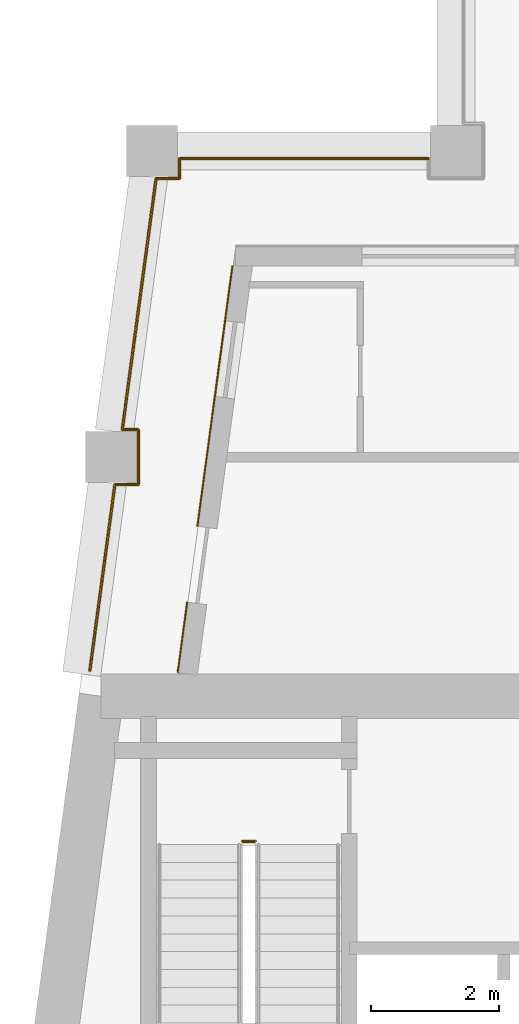
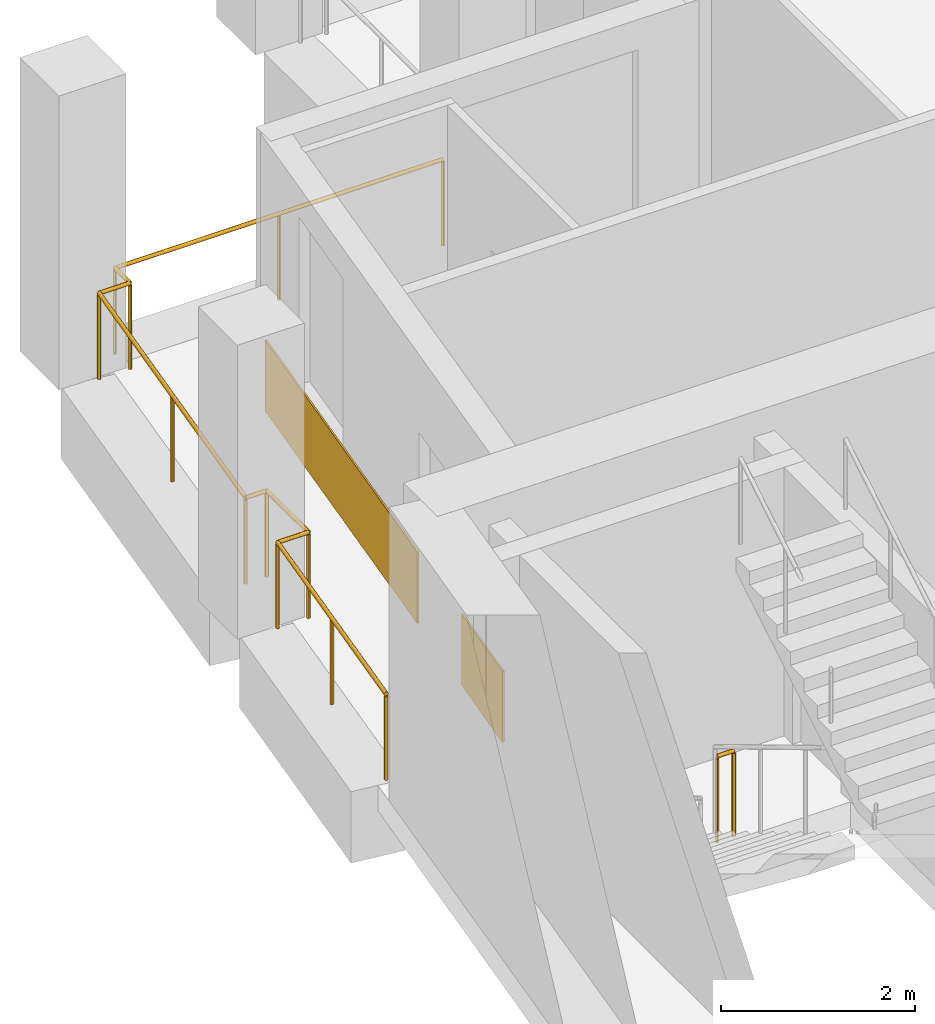
# One storey, part 10 of 14: 2 coverings, 2 railings.
"""IFC4 building model written with IfcOpenShell, lengths in metres."""

from ifc_helpers import new_model, si_unit, direction, frame, origin, origin_2d, place, context, subcontext, project, spatial, rectangle, circle, extrude, material, layer, layer_set, type_object, element, save


model = new_model("IFC4")

# Units and contexts
model_context = context("Model", 3, precision=1e-05, world=origin(), true_north=direction((0.0, 1.0)))
body_context = subcontext(model_context, "Body", "Model", "MODEL_VIEW")
ifc_project = project(units=[si_unit("LENGTHUNIT", "METRE"), si_unit("AREAUNIT", "SQUARE_METRE"), si_unit("VOLUMEUNIT", "CUBIC_METRE"), si_unit("PLANEANGLEUNIT", "RADIAN"), si_unit("MASSUNIT", "GRAM", prefix="KILO")], contexts=[model_context])

# Site, building, storey
site_placement = place(None, origin())
site = spatial("IfcSite", under=ifc_project, at=site_placement, CompositionType="ELEMENT")
building_placement = place(site_placement, origin())
building = spatial("IfcBuilding", under=site, at=building_placement, Name="Candeia Pilgrim Tower and Theatre", CompositionType="ELEMENT")
storey_placement = place(building_placement, frame((0.0, 0.0, 266.39990234375)))
storey = spatial("IfcBuildingStorey", under=building, at=storey_placement, Name="L64", CompositionType="ELEMENT", Elevation=266.39990234375)

# Railing
ifc_material_1 = material(Name="Stainless steel balustrade", Category="steel")
railing_type_1 = type_object("IfcRailingType", Name="G1 loggia guard 1100", PredefinedType="GUARDRAIL", material=ifc_material_1)
railing_1_placement = place(storey_placement, frame((88.758544921875, 132.449951171875, 0.0)))
element("IfcRailing", 1, at=railing_1_placement, inside=storey, type_object=railing_type_1, Name="Guard L64.4", PredefinedType="GUARDRAIL", context=body_context, shape_type="SweptSolid", body=[
    extrude(circle(Radius=0.02392578125, at=origin_2d()), frame((0.0, 0.0, 1.076171875), z_axis=(0.133401056725, 0.991062136329, 0.0), x_axis=(-0.991062136329, 0.133401056725, 0.0)), (0.0, 0.0, 1.0), 2.946533203125),
    extrude(circle(Radius=0.02392578125, at=origin_2d()), frame((0.39306640625, 2.920166015625, 1.076171875), z_axis=(1.0, 0.0, 0.0), x_axis=(0.0, 1.0, 0.0)), (0.0, 0.0, 1.0), 0.366943359375),
    extrude(circle(Radius=0.02392578125, at=origin_2d()), frame((0.760009765625, 2.920166015625, 1.076171875), z_axis=(0.0, 1.0, 0.0), x_axis=(-1.0, 0.0, 0.0)), (0.0, 0.0, 1.0), 0.85986328125),
    extrude(circle(Radius=0.02392578125, at=origin_2d()), frame((0.760009765625, 3.780029296875, 1.076171875), z_axis=(-1.0, 0.0, 0.0), x_axis=(0.0, -1.0, 0.0)), (0.0, 0.0, 1.0), 0.251220703125),
    extrude(circle(Radius=0.02392578125, at=origin_2d()), frame((0.5087890625, 3.780029296875, 1.076171875), z_axis=(0.133446811067, 0.99105597653, 0.0), x_axis=(-0.99105597653, 0.133446811067, 0.0)), (0.0, 0.0, 1.0), 3.9755859375),
    extrude(circle(Radius=0.02392578125, at=origin_2d()), frame((1.039306640625, 7.719970703125, 1.076171875), z_axis=(1.0, 0.0, 0.0), x_axis=(0.0, 1.0, 0.0)), (0.0, 0.0, 1.0), 0.36669921875),
    extrude(circle(Radius=0.02392578125, at=origin_2d()), frame((1.406005859375, 7.719970703125, 1.076171875), z_axis=(0.0, 1.0, 0.0), x_axis=(-1.0, 0.0, 0.0)), (0.0, 0.0, 1.0), 0.31005859375),
    extrude(circle(Radius=0.02392578125, at=origin_2d()), frame((1.406005859375, 8.030029296875, 1.076171875), z_axis=(1.0, 0.0, 0.0), x_axis=(0.0, 1.0, 0.0)), (0.0, 0.0, 1.0), 3.905517578125),
    extrude(circle(Radius=0.02099609375, at=origin_2d()), origin(), (0.0, 0.0, 1.0), 1.052001953125),
    extrude(circle(Radius=0.02099609375, at=origin_2d()), frame((0.196533203125, 1.4599609375, 0.0)), (0.0, 0.0, 1.0), 1.052001953125),
    extrude(circle(Radius=0.02099609375, at=origin_2d()), frame((0.39306640625, 2.920166015625, 0.0)), (0.0, 0.0, 1.0), 1.052001953125),
    extrude(circle(Radius=0.02099609375, at=origin_2d()), frame((0.760009765625, 2.920166015625, 0.0)), (0.0, 0.0, 1.0), 1.052001953125),
    extrude(circle(Radius=0.02099609375, at=origin_2d()), frame((0.760009765625, 3.780029296875, 0.0)), (0.0, 0.0, 1.0), 1.052001953125),
    extrude(circle(Radius=0.02099609375, at=origin_2d()), frame((0.5087890625, 3.780029296875, 0.0)), (0.0, 0.0, 1.0), 1.052001953125),
    extrude(circle(Radius=0.02099609375, at=origin_2d()), frame((0.77392578125, 5.75, 0.0)), (0.0, 0.0, 1.0), 1.052001953125),
    extrude(circle(Radius=0.02099609375, at=origin_2d()), frame((1.039306640625, 7.719970703125, 0.0)), (0.0, 0.0, 1.0), 1.052001953125),
    extrude(circle(Radius=0.02099609375, at=origin_2d()), frame((1.406005859375, 7.719970703125, 0.0)), (0.0, 0.0, 1.0), 1.052001953125),
    extrude(circle(Radius=0.02099609375, at=origin_2d()), frame((1.406005859375, 8.030029296875, 0.0)), (0.0, 0.0, 1.0), 1.052001953125),
    extrude(circle(Radius=0.02099609375, at=origin_2d()), frame((3.35888671875, 8.030029296875, 0.0)), (0.0, 0.0, 1.0), 1.052001953125),
    extrude(circle(Radius=0.02099609375, at=origin_2d()), frame((5.3115234375, 8.030029296875, 0.0)), (0.0, 0.0, 1.0), 1.052001953125),
])

# Coverings
ifc_material_2 = material(Name="Glazed ceramic tile bottle green")
ifc_layer = layer(ifc_material_2, 0.02001953125)
ifc_layer_set = layer_set([ifc_layer], Name="Glazed ceramic tile bottle green")
covering_type = type_object("IfcCoveringType", Name="Glazed ceramic tile bottle green", PredefinedType="CLADDING", material=ifc_layer_set)
covering_1_placement = place(storey_placement, frame((90.720947265625, 136.759521484375, 0.000244140625), z_axis=(0.0, 0.0, 1.0), x_axis=(-0.133412012145, -0.991060661622, 0.0)))
element("IfcCovering", 2, at=covering_1_placement, inside=storey, type_object=covering_type, Name="Tile cladding bottle green L64", PredefinedType="CLADDING", context=body_context, shape_type="SweptSolid", body=[
    extrude(rectangle(XDim=4.123779296875, YDim=0.02001953125, at=origin_2d()), origin(), (0.0, 0.0, 1.0), 0.89990234375),
])
covering_2_placement = place(storey_placement, frame((90.21142578125, 132.97412109375, 0.000244140625), z_axis=(0.0, 0.0, 1.0), x_axis=(-0.133412012145, -0.991060661622, 0.0)))
element("IfcCovering", 3, at=covering_2_placement, inside=storey, type_object=covering_type, Name="Tile cladding bottle green L64", PredefinedType="CLADDING", context=body_context, shape_type="SweptSolid", body=[
    extrude(rectangle(XDim=1.115234375, YDim=0.02001953125, at=origin_2d()), origin(), (0.0, 0.0, 1.0), 0.89990234375),
])

# Railing
railing_type_2 = type_object("IfcRailingType", Name="RL-GUARD-1100", PredefinedType="GUARDRAIL", material=ifc_material_1)
railing_2_placement = place(storey_placement, frame((91.152099609375, 129.77490234375, 0.0)))
element("IfcRailing", 4, at=railing_2_placement, inside=storey, type_object=railing_type_2, Name="L64 ST2 stair guard 2", PredefinedType="GUARDRAIL", context=body_context, shape_type="SweptSolid", body=[
    extrude(circle(Radius=0.02392578125, at=origin_2d()), frame((0.0, 0.0, 1.076171875), z_axis=(1.0, 0.0, 0.0), x_axis=(0.0, 1.0, 0.0)), (0.0, 0.0, 1.0), 0.199951171875),
    extrude(circle(Radius=0.02099609375, at=origin_2d()), origin(), (0.0, 0.0, 1.0), 1.052001953125),
    extrude(circle(Radius=0.02099609375, at=origin_2d()), frame((0.199951171875, 0.0, 0.0)), (0.0, 0.0, 1.0), 1.052001953125),
])

save(model, "model.ifc")
